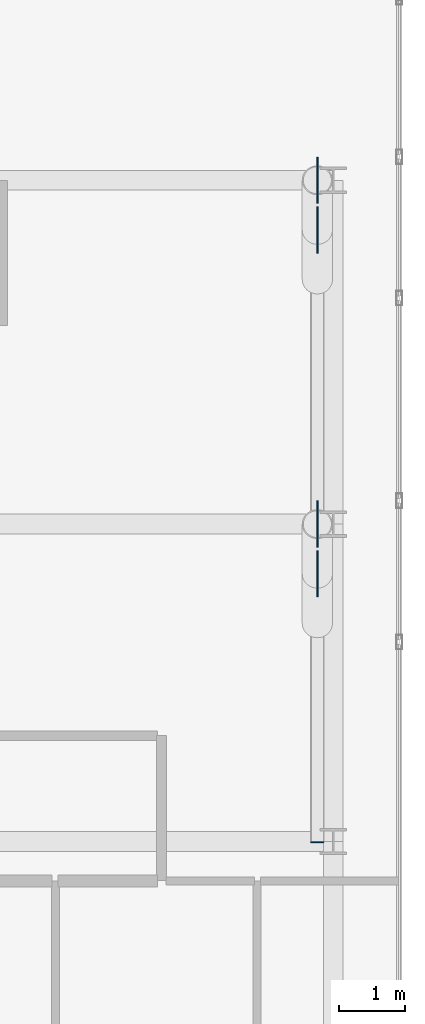
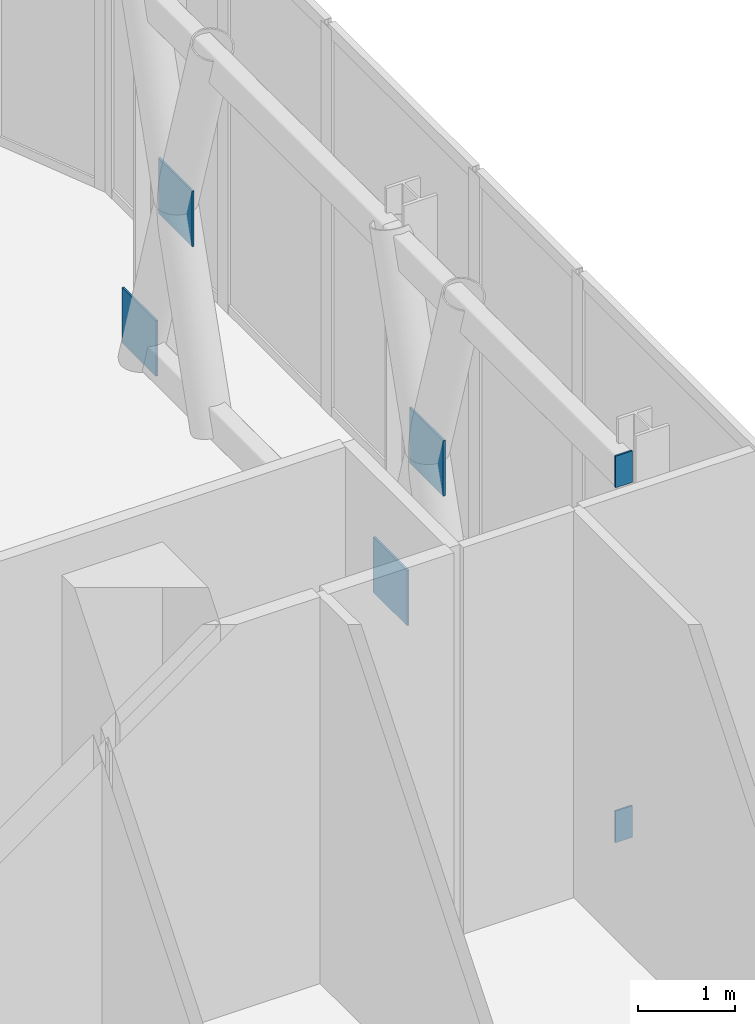
# One storey, part 28 of 36: 6 plates.
"""IFC4 building model written with IfcOpenShell, lengths in metres."""

from ifc_helpers import new_model, si_unit, direction, frame, origin, origin_2d, place, context, subcontext, project, spatial, rectangle, extrude, material, layer, layer_set, type_object, element, save


model = new_model("IFC4")

# Units and contexts
model_context = context("Model", 3, precision=1e-05, world=origin(), true_north=direction((0.0, 1.0)))
body_context = subcontext(model_context, "Body", "Model", "MODEL_VIEW")
ifc_project = project(units=[si_unit("LENGTHUNIT", "METRE"), si_unit("AREAUNIT", "SQUARE_METRE"), si_unit("VOLUMEUNIT", "CUBIC_METRE"), si_unit("PLANEANGLEUNIT", "RADIAN"), si_unit("MASSUNIT", "GRAM", prefix="KILO")], contexts=[model_context])

# Site, building, storey
site_placement = place(None, origin())
site = spatial("IfcSite", under=ifc_project, at=site_placement, CompositionType="ELEMENT")
building_placement = place(site_placement, origin())
building = spatial("IfcBuilding", under=site, at=building_placement, Name="Keshet Zoharim Tower", CompositionType="ELEMENT")
storey_placement = place(building_placement, frame((0.0, 0.0, 81.199951171875)))
storey = spatial("IfcBuildingStorey", under=building, at=storey_placement, Name="L19", CompositionType="ELEMENT", Elevation=81.199951171875)

# Plates
ifc_material = material(Name="Steel S355", Category="steel")
ifc_layer_1 = layer(ifc_material, 0.02001953125)
ifc_layer_set_1 = layer_set([ifc_layer_1], Name="Steel S355")
plate_type_1 = type_object("IfcPlateType", Name="PL-GUS-20", PredefinedType="SHEET", material=ifc_layer_set_1)
for number, where, z_axis, x_axis, name in (
    (1, (68.760009765625, 17.889892578125, 0.0), (0.0, 0.0, 1.0), (1.0, 0.0, 0.0), "L19 Perimeter Belt Truss Chord End Plate B08"),
    (2, (68.760009765625, 17.889892578125, 4.485107421875), (0.0, 0.0, 1.0), (1.0, 0.0, 0.0), "L19 Perimeter Belt Truss Chord End Plate T08"),
):
    element("IfcPlate", number, at=place(storey_placement, frame(where, z_axis=z_axis, x_axis=x_axis)), inside=storey, type_object=plate_type_1, Name=name, PredefinedType="SHEET", context=body_context, shape_type="SweptSolid", body=[
        extrude(rectangle(XDim=0.199951171875, YDim=0.02001953125, at=origin_2d()), origin(), (0.0, 0.0, 1.0), 0.39990234375),
    ])
ifc_layer_2 = layer(ifc_material, 0.02490234375)
ifc_layer_set_2 = layer_set([ifc_layer_2], Name="Steel S355")
plate_type_2 = type_object("IfcPlateType", Name="PL-GUS-25", PredefinedType="SHEET", material=ifc_layer_set_2)
for number, where, z_axis, x_axis, name in (
    (3, (68.760009765625, 27.14990234375, 2.0927734375), (0.0, 0.0, 1.0), (0.0, -1.0, 0.0), "L19 Belt Truss X-Crossing Gusset 07"),
    (4, (68.760009765625, 27.89990234375, 0.0), (0.0, 0.0, 1.0), (0.0, -1.0, 0.0), "L19 Belt Truss Node Gusset 07"),
    (5, (68.760009765625, 21.949951171875, 2.0927734375), (0.0, 0.0, 1.0), (0.0, -1.0, 0.0), "L19 Belt Truss X-Crossing Gusset 08"),
    (6, (68.760009765625, 22.699951171875, 0.0), (0.0, 0.0, 1.0), (0.0, -1.0, 0.0), "L19 Belt Truss Node Gusset 08"),
):
    element("IfcPlate", number, at=place(storey_placement, frame(where, z_axis=z_axis, x_axis=x_axis)), inside=storey, type_object=plate_type_2, Name=name, PredefinedType="SHEET", context=body_context, shape_type="SweptSolid", body=[
        extrude(rectangle(XDim=0.699951171875, YDim=0.02490234375, at=origin_2d()), origin(), (0.0, 0.0, 1.0), 0.699951171875),
    ])

save(model, "model.ifc")
